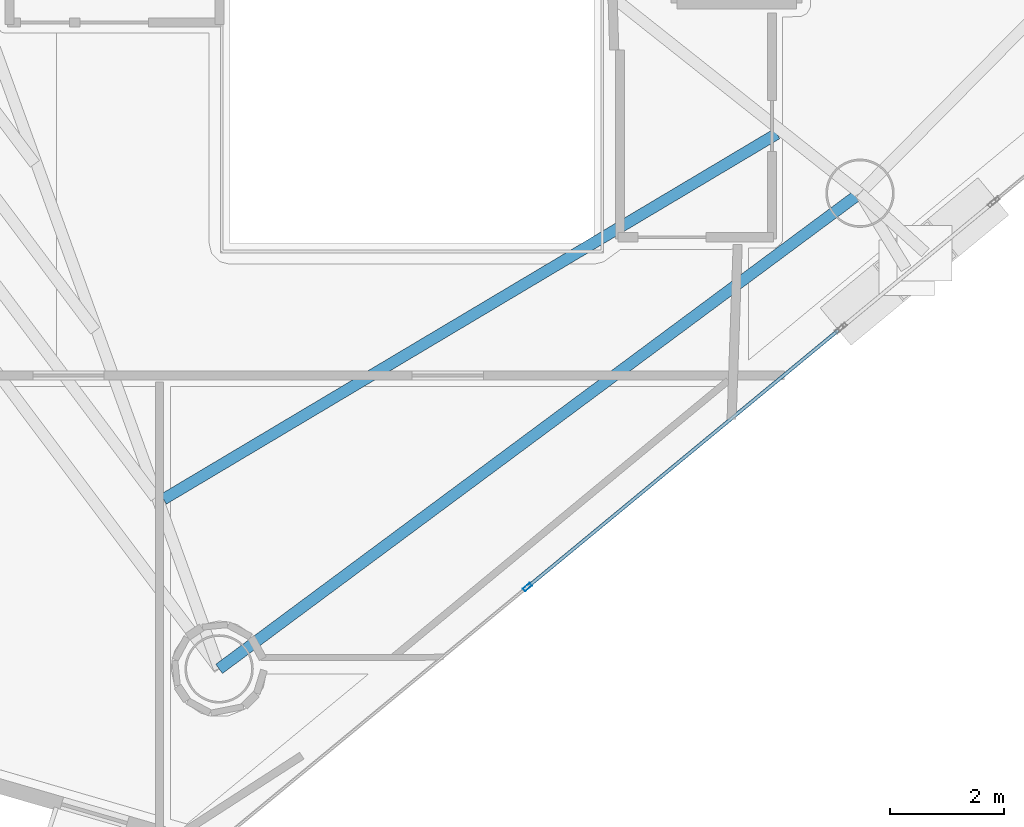
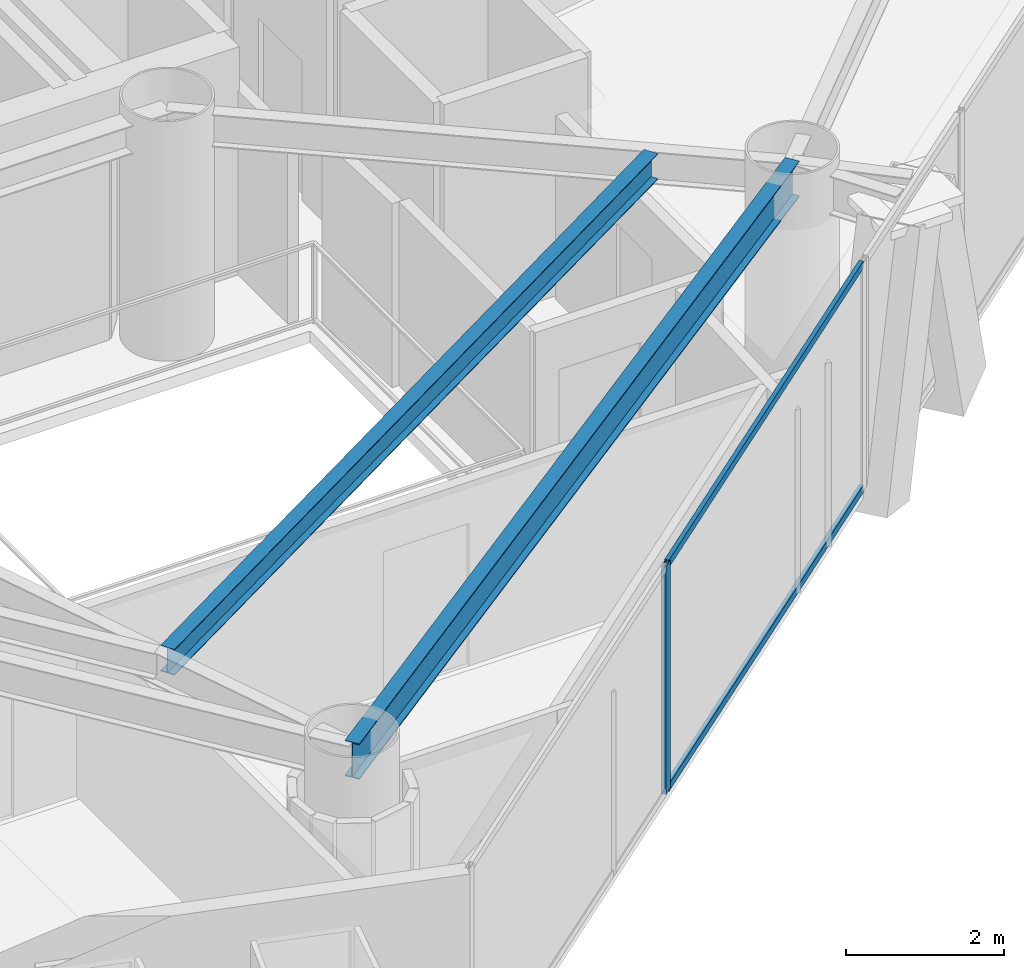
# One storey, part 4 of 21: 3 members, 2 beams, 1 element without a shape of its own.
"""IFC4 building model written with IfcOpenShell, lengths in metres."""

from ifc_helpers import new_model, si_unit, direction, frame, origin, origin_2d, place, context, subcontext, project, spatial, hollow_rectangle, i_section, extrude, material, layer, layer_set, material_profile, profile_set, type_object, element, aggregate, save


model = new_model("IFC4")

# Units and contexts
model_context = context("Model", 3, precision=1e-05, world=origin(), true_north=direction((0.0, 1.0)))
body_context = subcontext(model_context, "Body", "Model", "MODEL_VIEW")
ifc_project = project(units=[si_unit("LENGTHUNIT", "METRE"), si_unit("AREAUNIT", "SQUARE_METRE"), si_unit("VOLUMEUNIT", "CUBIC_METRE"), si_unit("PLANEANGLEUNIT", "RADIAN"), si_unit("MASSUNIT", "GRAM", prefix="KILO")], contexts=[model_context])

# Site, building, storey
site_placement = place(None, origin())
site = spatial("IfcSite", under=ifc_project, at=site_placement, CompositionType="ELEMENT")
building_placement = place(site_placement, origin())
building = spatial("IfcBuilding", under=site, at=building_placement, Name="Qianvela Tower", CompositionType="ELEMENT")
storey_placement = place(building_placement, frame((0.0, 0.0, 211.39990234375)))
storey = spatial("IfcBuildingStorey", under=building, at=storey_placement, Name="L54", CompositionType="ELEMENT", Elevation=211.39990234375)

# Beams
ifc_material_1 = material(Name="Steel Q355B", Category="steel")
ifc_material_profile_1 = material_profile(ifc_material_1, i_section(OverallWidth=0.199951171875, OverallDepth=0.39990234375, WebThickness=0.008056640625, FlangeThickness=0.012939453125, at=origin_2d()), Name="HN400x200x8x13")
ifc_profile_set_1 = profile_set([ifc_material_profile_1], Name="Steel Q355B")
beam_type_1 = type_object("IfcBeamType", Name="BM-HN400-JOIST", PredefinedType="JOIST", material=ifc_profile_set_1)
beam_1_placement = place(storey_placement, frame((32.4365234375, 13.51025390625, 3.318115234375), z_axis=(0.859083505932, 0.511835451914, 0.0), x_axis=(-0.511835451914, 0.859083505932, 0.0)))
element("IfcBeam", 1, at=beam_1_placement, inside=storey, type_object=beam_type_1, Name="L54 Secondary Composite Floor Joist 5.3", PredefinedType="JOIST", context=body_context, shape_type="SweptSolid", body=[
    extrude(i_section(OverallWidth=0.199951171875, OverallDepth=0.39990234375, WebThickness=0.008056640625, FlangeThickness=0.012939453125, at=origin_2d()), origin(), (0.0, 0.0, 1.0), 12.535888671875),
])
ifc_material_2 = material(Name="Steel Q355B", Category="steel")
ifc_material_profile_2 = material_profile(ifc_material_2, i_section(OverallWidth=0.199951171875, OverallDepth=0.550048828125, WebThickness=0.010009765625, FlangeThickness=0.01611328125, at=origin_2d()), Name="HN550x200x10x16")
ifc_profile_set_2 = profile_set([ifc_material_profile_2], Name="Steel Q355B")
beam_type_2 = type_object("IfcBeamType", Name="BM-HN550-GIRD", PredefinedType="BEAM", material=ifc_profile_set_2)
beam_2_placement = place(storey_placement, frame((33.4130859375, 10.531005859375, 3.2431640625), z_axis=(0.803016810701, 0.595956375696, 0.0), x_axis=(-0.595956375696, 0.803016810701, 0.0)))
element("IfcBeam", 2, at=beam_2_placement, inside=storey, type_object=beam_type_2, Name="L54 Perimeter Ring Spandrel Girder 5", PredefinedType="BEAM", context=body_context, shape_type="SweptSolid", body=[
    extrude(i_section(OverallWidth=0.199951171875, OverallDepth=0.550048828125, WebThickness=0.010009765625, FlangeThickness=0.01611328125, at=origin_2d()), origin(), (0.0, 0.0, 1.0), 14.0146484375),
])

# Curtain wall, members
ifc_material_3 = material(Name="Anodised Architectural Aluminium and Low-E Glass", Category="aluminium")
ifc_layer = layer(ifc_material_3, 0.159912109375)
ifc_layer_set = layer_set([ifc_layer], Name="Anodised Architectural Aluminium and Low-E Glass")
curtain_wall_type = type_object("IfcCurtainWallType", Name="CW-COLIV-Z56", PredefinedType="USERDEFINED", material=ifc_layer_set)
curtain_wall_placement = place(storey_placement, origin())
curtain_wall = element("IfcCurtainWall", 3, at=curtain_wall_placement, inside=storey, type_object=curtain_wall_type, Name="L54 CW-COLIV-Z56 Curtain Wall 06A", ObjectType="CURTAIN_WALL_SYSTEM", PredefinedType="USERDEFINED")
ifc_material_4 = material(Name="Anodised Architectural Aluminium 6063-T6", Category="aluminium")
ifc_material_profile_3 = material_profile(ifc_material_4, hollow_rectangle(XDim=0.06494140625, YDim=0.159912109375, WallThickness=0.0048828125, at=origin_2d()), Name="ALU-MULL-65x160")
ifc_profile_set_3 = profile_set([ifc_material_profile_3], Name="Anodised Architectural Aluminium 6063-T6")
member_type_1 = type_object("IfcMemberType", Name="CW-COLIV-Z56-MULL", PredefinedType="MULLION", material=ifc_profile_set_3)
member_1_placement = place(storey_placement, frame((38.8271484375, 11.968017578125, 0.0), z_axis=(0.0, 0.0, 1.0), x_axis=(-0.636795481319, 0.771032758689, 0.0)))
member_1 = element("IfcMember", 4, at=member_1_placement, type_object=member_type_1, Name="CW-5 mullion 2", PredefinedType="MULLION", context=body_context, shape_type="SweptSolid", body=[
    extrude(hollow_rectangle(XDim=0.06494140625, YDim=0.159912109375, WallThickness=0.0048828125, at=origin_2d()), origin(), (0.0, 0.0, 1.0), 3.52001953125),
])
ifc_material_5 = material(Name="Anodised Architectural Aluminium 6063-T6", Category="aluminium")
ifc_material_profile_4 = material_profile(ifc_material_5, hollow_rectangle(XDim=0.06005859375, YDim=0.114990234375, WallThickness=0.00390625, at=origin_2d()), Name="ALU-TRAN-60x115")
ifc_profile_set_4 = profile_set([ifc_material_profile_4], Name="Anodised Architectural Aluminium 6063-T6")
member_type_2 = type_object("IfcMemberType", Name="CW-COLIV-Z56-TRAN", PredefinedType="USERDEFINED", material=ifc_profile_set_4)
member_2_placement = place(storey_placement, frame((38.852294921875, 11.98876953125, 0.030029296875), z_axis=(0.771029834863, 0.636799021474, 0.0), x_axis=(-0.636799021474, 0.771029834863, 0.0)))
member_2 = element("IfcMember", 5, at=member_2_placement, type_object=member_type_2, Name="CW-5 transom 2.1", ObjectType="TRANSOM", PredefinedType="USERDEFINED", context=body_context, shape_type="SweptSolid", body=[
    extrude(hollow_rectangle(XDim=0.06005859375, YDim=0.114990234375, WallThickness=0.00390625, at=origin_2d()), origin(), (0.0, 0.0, 1.0), 7.04248046875),
])
member_3_placement = place(storey_placement, frame((38.852294921875, 11.98876953125, 3.489990234375), z_axis=(0.771029834863, 0.636799021474, 0.0), x_axis=(-0.636799021474, 0.771029834863, 0.0)))
member_3 = element("IfcMember", 6, at=member_3_placement, type_object=member_type_2, Name="CW-5 transom 2.2", ObjectType="TRANSOM", PredefinedType="USERDEFINED", context=body_context, shape_type="SweptSolid", body=[
    extrude(hollow_rectangle(XDim=0.06005859375, YDim=0.114990234375, WallThickness=0.00390625, at=origin_2d()), origin(), (0.0, 0.0, 1.0), 7.04248046875),
])
aggregate(curtain_wall, [member_1, member_2, member_3])

save(model, "model.ifc")
